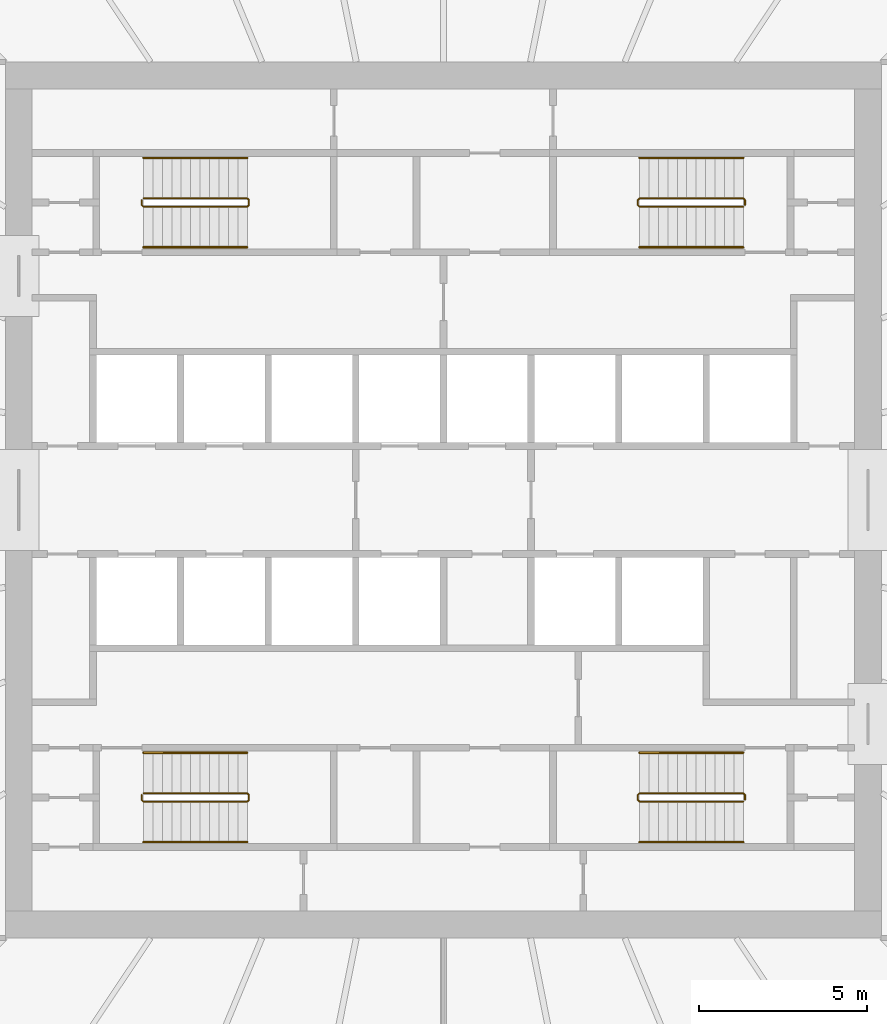
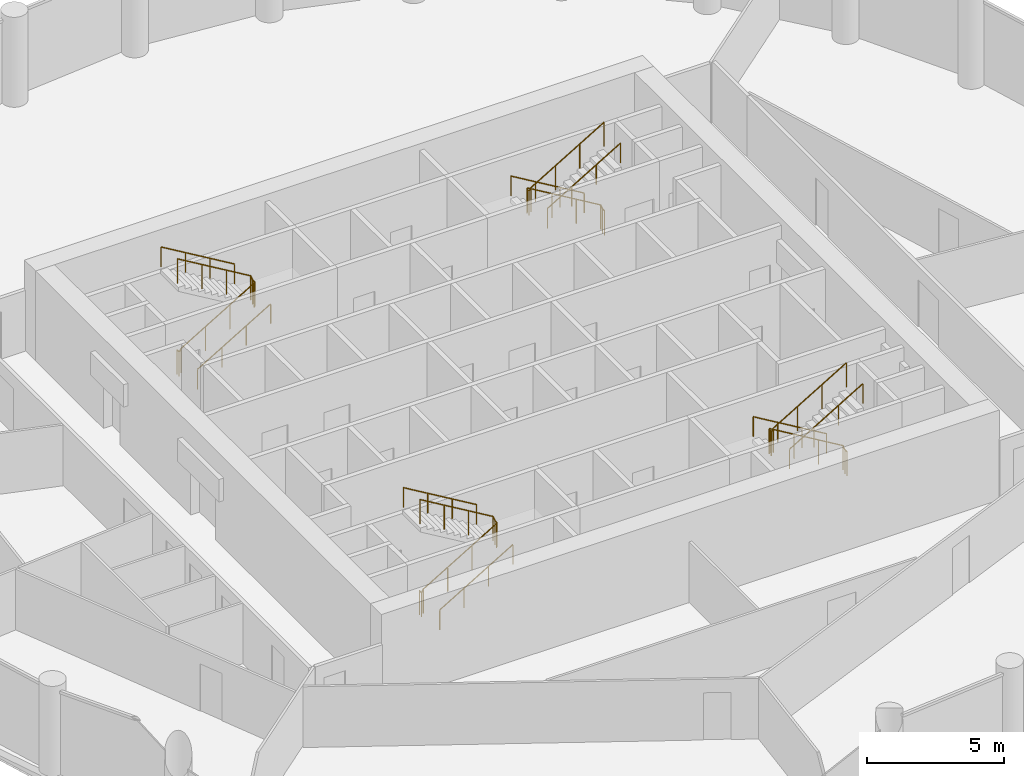
# One storey, part 9 of 9: 12 railings.
"""IFC4 building model written with IfcOpenShell, lengths in metres."""

from ifc_helpers import new_model, si_unit, direction, frame, origin, origin_2d, place, context, subcontext, project, spatial, circle, extrude, material, type_object, element, save


model = new_model("IFC4")

# Units and contexts
model_context = context("Model", 3, precision=1e-05, world=origin(), true_north=direction((0.0, 1.0)))
body_context = subcontext(model_context, "Body", "Model", "MODEL_VIEW")
ifc_project = project(units=[si_unit("LENGTHUNIT", "METRE"), si_unit("AREAUNIT", "SQUARE_METRE"), si_unit("VOLUMEUNIT", "CUBIC_METRE"), si_unit("PLANEANGLEUNIT", "RADIAN"), si_unit("MASSUNIT", "GRAM", prefix="KILO")], contexts=[model_context])

# Site, building, storey
site_placement = place(None, origin())
site = spatial("IfcSite", under=ifc_project, at=site_placement, CompositionType="ELEMENT")
building_placement = place(site_placement, origin())
building = spatial("IfcBuilding", under=site, at=building_placement, Name="Corvane Civic Tower", CompositionType="ELEMENT")
storey_placement = place(building_placement, frame((0.0, 0.0, 225.5)))
storey = spatial("IfcBuildingStorey", under=building, at=storey_placement, Name="L53", CompositionType="ELEMENT", Elevation=225.5)

# Railings
ifc_material_1 = material(Name="Steel ASTM A572 Gr 50", Category="steel")
railing_type_1 = type_object("IfcRailingType", Name="ST-GUARD-1100", PredefinedType="GUARDRAIL", material=ifc_material_1)
railing_1_placement = place(storey_placement, frame((8.949951171875, 8.75, 0.0)))
element("IfcRailing", 1, at=railing_1_placement, inside=storey, type_object=railing_type_1, Name="L53 ST1 stair guard 1", PredefinedType="GUARDRAIL", context=body_context, shape_type="SweptSolid", body=[
    extrude(circle(Radius=0.02392578125, at=origin_2d()), frame((0.0, 0.0, 1.076171875), z_axis=(0.0, 1.0, 0.0), x_axis=(-1.0, 0.0, 0.0)), (0.0, 0.0, 1.0), 0.14990234375),
    extrude(circle(Radius=0.02392578125, at=origin_2d()), frame((0.0, 0.14990234375, 1.076171875), z_axis=(-0.27628659633, 0.27628659633, 0.920506074601), x_axis=(-0.707106781187, -0.707106781187, 0.0)), (0.0, 0.0, 1.0), 0.18115234375),
    extrude(circle(Radius=0.02392578125, at=origin_2d()), frame((-0.050048828125, 0.199951171875, 1.24267578125), z_axis=(-0.859290745958, 0.0, 0.51148745235), x_axis=(0.0, -1.0, 0.0)), (0.0, 0.0, 1.0), 3.584228515625),
    extrude(circle(Radius=0.02392578125, at=origin_2d()), frame((-3.1298828125, 0.199951171875, 3.076171875), z_axis=(-0.707106781187, -0.707106781187, 0.0), x_axis=(0.707106781187, -0.707106781187, 0.0)), (0.0, 0.0, 1.0), 0.07080078125),
    extrude(circle(Radius=0.02392578125, at=origin_2d()), frame((-3.179931640625, 0.14990234375, 3.076171875), z_axis=(0.0, -1.0, 0.0), x_axis=(1.0, 0.0, 0.0)), (0.0, 0.0, 1.0), 0.14990234375),
    extrude(circle(Radius=0.02392578125, at=origin_2d()), frame((-3.179931640625, 0.0, 3.076171875), z_axis=(0.27628659633, -0.27628659633, 0.920506074601), x_axis=(0.707106781187, 0.707106781187, 0.0)), (0.0, 0.0, 1.0), 0.18115234375),
    extrude(circle(Radius=0.02392578125, at=origin_2d()), frame((-3.1298828125, -0.050048828125, 3.24267578125), z_axis=(0.859290745958, 0.0, 0.51148745235), x_axis=(0.0, 1.0, 0.0)), (0.0, 0.0, 1.0), 3.584228515625),
    extrude(circle(Radius=0.02099609375, at=origin_2d()), origin(), (0.0, 0.0, 1.0), 1.052001953125),
    extrude(circle(Radius=0.02099609375, at=origin_2d()), frame((0.0, 0.14990234375, 0.0)), (0.0, 0.0, 1.0), 1.052001953125),
    extrude(circle(Radius=0.02099609375, at=origin_2d()), frame((-0.050048828125, 0.199951171875, 0.166748046875)), (0.0, 0.0, 1.0), 1.052001953125),
    extrude(circle(Radius=0.02099609375, at=origin_2d()), frame((-1.07666015625, 0.199951171875, 0.77783203125)), (0.0, 0.0, 1.0), 1.052001953125),
    extrude(circle(Radius=0.02099609375, at=origin_2d()), frame((-2.103271484375, 0.199951171875, 1.388916015625)), (0.0, 0.0, 1.0), 1.052001953125),
    extrude(circle(Radius=0.02099609375, at=origin_2d()), frame((-3.1298828125, 0.199951171875, 2.0)), (0.0, 0.0, 1.0), 1.052001953125),
    extrude(circle(Radius=0.02099609375, at=origin_2d()), frame((-3.179931640625, 0.14990234375, 2.0)), (0.0, 0.0, 1.0), 1.052001953125),
    extrude(circle(Radius=0.02099609375, at=origin_2d()), frame((-3.179931640625, 0.0, 2.0)), (0.0, 0.0, 1.0), 1.052001953125),
    extrude(circle(Radius=0.02099609375, at=origin_2d()), frame((-3.1298828125, -0.050048828125, 2.166748046875)), (0.0, 0.0, 1.0), 1.052001953125),
    extrude(circle(Radius=0.02099609375, at=origin_2d()), frame((-2.103271484375, -0.050048828125, 2.77783203125)), (0.0, 0.0, 1.0), 1.052001953125),
    extrude(circle(Radius=0.02099609375, at=origin_2d()), frame((-1.07666015625, -0.050048828125, 3.388916015625)), (0.0, 0.0, 1.0), 1.052001953125),
    extrude(circle(Radius=0.02099609375, at=origin_2d()), frame((-0.050048828125, -0.050048828125, 4.0)), (0.0, 0.0, 1.0), 1.052001953125),
])
railing_2_placement = place(storey_placement, frame((8.949951171875, -8.89990234375, 0.0)))
element("IfcRailing", 2, at=railing_2_placement, inside=storey, type_object=railing_type_1, Name="L53 ST2 stair guard 1", PredefinedType="GUARDRAIL", context=body_context, shape_type="SweptSolid", body=[
    extrude(circle(Radius=0.02392578125, at=origin_2d()), frame((0.0, 0.0, 1.076171875), z_axis=(0.0, 1.0, 0.0), x_axis=(-1.0, 0.0, 0.0)), (0.0, 0.0, 1.0), 0.14990234375),
    extrude(circle(Radius=0.02392578125, at=origin_2d()), frame((0.0, 0.14990234375, 1.076171875), z_axis=(-0.27628659633, 0.27628659633, 0.920506074601), x_axis=(-0.707106781187, -0.707106781187, 0.0)), (0.0, 0.0, 1.0), 0.18115234375),
    extrude(circle(Radius=0.02392578125, at=origin_2d()), frame((-0.050048828125, 0.199951171875, 1.24267578125), z_axis=(-0.859290745958, 0.0, 0.51148745235), x_axis=(0.0, -1.0, 0.0)), (0.0, 0.0, 1.0), 3.584228515625),
    extrude(circle(Radius=0.02392578125, at=origin_2d()), frame((-3.1298828125, 0.199951171875, 3.076171875), z_axis=(-0.707106781187, -0.707106781187, 0.0), x_axis=(0.707106781187, -0.707106781187, 0.0)), (0.0, 0.0, 1.0), 0.07080078125),
    extrude(circle(Radius=0.02392578125, at=origin_2d()), frame((-3.179931640625, 0.14990234375, 3.076171875), z_axis=(0.0, -1.0, 0.0), x_axis=(1.0, 0.0, 0.0)), (0.0, 0.0, 1.0), 0.14990234375),
    extrude(circle(Radius=0.02392578125, at=origin_2d()), frame((-3.179931640625, 0.0, 3.076171875), z_axis=(0.27628659633, -0.27628659633, 0.920506074601), x_axis=(0.707106781187, 0.707106781187, 0.0)), (0.0, 0.0, 1.0), 0.18115234375),
    extrude(circle(Radius=0.02392578125, at=origin_2d()), frame((-3.1298828125, -0.050048828125, 3.24267578125), z_axis=(0.859290745958, 0.0, 0.51148745235), x_axis=(0.0, 1.0, 0.0)), (0.0, 0.0, 1.0), 3.584228515625),
    extrude(circle(Radius=0.02099609375, at=origin_2d()), origin(), (0.0, 0.0, 1.0), 1.052001953125),
    extrude(circle(Radius=0.02099609375, at=origin_2d()), frame((0.0, 0.14990234375, 0.0)), (0.0, 0.0, 1.0), 1.052001953125),
    extrude(circle(Radius=0.02099609375, at=origin_2d()), frame((-0.050048828125, 0.199951171875, 0.166748046875)), (0.0, 0.0, 1.0), 1.052001953125),
    extrude(circle(Radius=0.02099609375, at=origin_2d()), frame((-1.07666015625, 0.199951171875, 0.77783203125)), (0.0, 0.0, 1.0), 1.052001953125),
    extrude(circle(Radius=0.02099609375, at=origin_2d()), frame((-2.103271484375, 0.199951171875, 1.388916015625)), (0.0, 0.0, 1.0), 1.052001953125),
    extrude(circle(Radius=0.02099609375, at=origin_2d()), frame((-3.1298828125, 0.199951171875, 2.0)), (0.0, 0.0, 1.0), 1.052001953125),
    extrude(circle(Radius=0.02099609375, at=origin_2d()), frame((-3.179931640625, 0.14990234375, 2.0)), (0.0, 0.0, 1.0), 1.052001953125),
    extrude(circle(Radius=0.02099609375, at=origin_2d()), frame((-3.179931640625, 0.0, 2.0)), (0.0, 0.0, 1.0), 1.052001953125),
    extrude(circle(Radius=0.02099609375, at=origin_2d()), frame((-3.1298828125, -0.050048828125, 2.166748046875)), (0.0, 0.0, 1.0), 1.052001953125),
    extrude(circle(Radius=0.02099609375, at=origin_2d()), frame((-2.103271484375, -0.050048828125, 2.77783203125)), (0.0, 0.0, 1.0), 1.052001953125),
    extrude(circle(Radius=0.02099609375, at=origin_2d()), frame((-1.07666015625, -0.050048828125, 3.388916015625)), (0.0, 0.0, 1.0), 1.052001953125),
    extrude(circle(Radius=0.02099609375, at=origin_2d()), frame((-0.050048828125, -0.050048828125, 4.0)), (0.0, 0.0, 1.0), 1.052001953125),
])
railing_3_placement = place(storey_placement, frame((-8.949951171875, -8.75, 0.0)))
element("IfcRailing", 3, at=railing_3_placement, inside=storey, type_object=railing_type_1, Name="L53 ST3 stair guard 1", PredefinedType="GUARDRAIL", context=body_context, shape_type="SweptSolid", body=[
    extrude(circle(Radius=0.02392578125, at=origin_2d()), frame((0.0, 0.0, 1.076171875), z_axis=(0.0, -1.0, 0.0), x_axis=(1.0, 0.0, 0.0)), (0.0, 0.0, 1.0), 0.14990234375),
    extrude(circle(Radius=0.02392578125, at=origin_2d()), frame((0.0, -0.14990234375, 1.076171875), z_axis=(0.27628659633, -0.27628659633, 0.920506074601), x_axis=(0.707106781187, 0.707106781187, 0.0)), (0.0, 0.0, 1.0), 0.18115234375),
    extrude(circle(Radius=0.02392578125, at=origin_2d()), frame((0.050048828125, -0.199951171875, 1.24267578125), z_axis=(0.859290745958, 0.0, 0.51148745235), x_axis=(0.0, 1.0, 0.0)), (0.0, 0.0, 1.0), 3.584228515625),
    extrude(circle(Radius=0.02392578125, at=origin_2d()), frame((3.1298828125, -0.199951171875, 3.076171875), z_axis=(0.707106781187, 0.707106781187, 0.0), x_axis=(-0.707106781187, 0.707106781187, 0.0)), (0.0, 0.0, 1.0), 0.07080078125),
    extrude(circle(Radius=0.02392578125, at=origin_2d()), frame((3.179931640625, -0.14990234375, 3.076171875), z_axis=(0.0, 1.0, 0.0), x_axis=(-1.0, 0.0, 0.0)), (0.0, 0.0, 1.0), 0.14990234375),
    extrude(circle(Radius=0.02392578125, at=origin_2d()), frame((3.179931640625, 0.0, 3.076171875), z_axis=(-0.27628659633, 0.27628659633, 0.920506074601), x_axis=(-0.707106781187, -0.707106781187, 0.0)), (0.0, 0.0, 1.0), 0.18115234375),
    extrude(circle(Radius=0.02392578125, at=origin_2d()), frame((3.1298828125, 0.050048828125, 3.24267578125), z_axis=(-0.859290745958, 0.0, 0.51148745235), x_axis=(0.0, -1.0, 0.0)), (0.0, 0.0, 1.0), 3.584228515625),
    extrude(circle(Radius=0.02099609375, at=origin_2d()), origin(), (0.0, 0.0, 1.0), 1.052001953125),
    extrude(circle(Radius=0.02099609375, at=origin_2d()), frame((0.0, -0.14990234375, 0.0)), (0.0, 0.0, 1.0), 1.052001953125),
    extrude(circle(Radius=0.02099609375, at=origin_2d()), frame((0.050048828125, -0.199951171875, 0.166748046875)), (0.0, 0.0, 1.0), 1.052001953125),
    extrude(circle(Radius=0.02099609375, at=origin_2d()), frame((1.07666015625, -0.199951171875, 0.77783203125)), (0.0, 0.0, 1.0), 1.052001953125),
    extrude(circle(Radius=0.02099609375, at=origin_2d()), frame((2.103271484375, -0.199951171875, 1.388916015625)), (0.0, 0.0, 1.0), 1.052001953125),
    extrude(circle(Radius=0.02099609375, at=origin_2d()), frame((3.1298828125, -0.199951171875, 2.0)), (0.0, 0.0, 1.0), 1.052001953125),
    extrude(circle(Radius=0.02099609375, at=origin_2d()), frame((3.179931640625, -0.14990234375, 2.0)), (0.0, 0.0, 1.0), 1.052001953125),
    extrude(circle(Radius=0.02099609375, at=origin_2d()), frame((3.179931640625, 0.0, 2.0)), (0.0, 0.0, 1.0), 1.052001953125),
    extrude(circle(Radius=0.02099609375, at=origin_2d()), frame((3.1298828125, 0.050048828125, 2.166748046875)), (0.0, 0.0, 1.0), 1.052001953125),
    extrude(circle(Radius=0.02099609375, at=origin_2d()), frame((2.103271484375, 0.050048828125, 2.77783203125)), (0.0, 0.0, 1.0), 1.052001953125),
    extrude(circle(Radius=0.02099609375, at=origin_2d()), frame((1.07666015625, 0.050048828125, 3.388916015625)), (0.0, 0.0, 1.0), 1.052001953125),
    extrude(circle(Radius=0.02099609375, at=origin_2d()), frame((0.050048828125, 0.050048828125, 4.0)), (0.0, 0.0, 1.0), 1.052001953125),
])
railing_4_placement = place(storey_placement, frame((-8.949951171875, 8.89990234375, 0.0)))
element("IfcRailing", 4, at=railing_4_placement, inside=storey, type_object=railing_type_1, Name="L53 ST4 stair guard 1", PredefinedType="GUARDRAIL", context=body_context, shape_type="SweptSolid", body=[
    extrude(circle(Radius=0.02392578125, at=origin_2d()), frame((0.0, 0.0, 1.076171875), z_axis=(0.0, -1.0, 0.0), x_axis=(1.0, 0.0, 0.0)), (0.0, 0.0, 1.0), 0.14990234375),
    extrude(circle(Radius=0.02392578125, at=origin_2d()), frame((0.0, -0.14990234375, 1.076171875), z_axis=(0.27628659633, -0.27628659633, 0.920506074601), x_axis=(0.707106781187, 0.707106781187, 0.0)), (0.0, 0.0, 1.0), 0.18115234375),
    extrude(circle(Radius=0.02392578125, at=origin_2d()), frame((0.050048828125, -0.199951171875, 1.24267578125), z_axis=(0.859290745958, 0.0, 0.51148745235), x_axis=(0.0, 1.0, 0.0)), (0.0, 0.0, 1.0), 3.584228515625),
    extrude(circle(Radius=0.02392578125, at=origin_2d()), frame((3.1298828125, -0.199951171875, 3.076171875), z_axis=(0.707106781187, 0.707106781187, 0.0), x_axis=(-0.707106781187, 0.707106781187, 0.0)), (0.0, 0.0, 1.0), 0.07080078125),
    extrude(circle(Radius=0.02392578125, at=origin_2d()), frame((3.179931640625, -0.14990234375, 3.076171875), z_axis=(0.0, 1.0, 0.0), x_axis=(-1.0, 0.0, 0.0)), (0.0, 0.0, 1.0), 0.14990234375),
    extrude(circle(Radius=0.02392578125, at=origin_2d()), frame((3.179931640625, 0.0, 3.076171875), z_axis=(-0.27628659633, 0.27628659633, 0.920506074601), x_axis=(-0.707106781187, -0.707106781187, 0.0)), (0.0, 0.0, 1.0), 0.18115234375),
    extrude(circle(Radius=0.02392578125, at=origin_2d()), frame((3.1298828125, 0.050048828125, 3.24267578125), z_axis=(-0.859290745958, 0.0, 0.51148745235), x_axis=(0.0, -1.0, 0.0)), (0.0, 0.0, 1.0), 3.584228515625),
    extrude(circle(Radius=0.02099609375, at=origin_2d()), origin(), (0.0, 0.0, 1.0), 1.052001953125),
    extrude(circle(Radius=0.02099609375, at=origin_2d()), frame((0.0, -0.14990234375, 0.0)), (0.0, 0.0, 1.0), 1.052001953125),
    extrude(circle(Radius=0.02099609375, at=origin_2d()), frame((0.050048828125, -0.199951171875, 0.166748046875)), (0.0, 0.0, 1.0), 1.052001953125),
    extrude(circle(Radius=0.02099609375, at=origin_2d()), frame((1.07666015625, -0.199951171875, 0.77783203125)), (0.0, 0.0, 1.0), 1.052001953125),
    extrude(circle(Radius=0.02099609375, at=origin_2d()), frame((2.103271484375, -0.199951171875, 1.388916015625)), (0.0, 0.0, 1.0), 1.052001953125),
    extrude(circle(Radius=0.02099609375, at=origin_2d()), frame((3.1298828125, -0.199951171875, 2.0)), (0.0, 0.0, 1.0), 1.052001953125),
    extrude(circle(Radius=0.02099609375, at=origin_2d()), frame((3.179931640625, -0.14990234375, 2.0)), (0.0, 0.0, 1.0), 1.052001953125),
    extrude(circle(Radius=0.02099609375, at=origin_2d()), frame((3.179931640625, 0.0, 2.0)), (0.0, 0.0, 1.0), 1.052001953125),
    extrude(circle(Radius=0.02099609375, at=origin_2d()), frame((3.1298828125, 0.050048828125, 2.166748046875)), (0.0, 0.0, 1.0), 1.052001953125),
    extrude(circle(Radius=0.02099609375, at=origin_2d()), frame((2.103271484375, 0.050048828125, 2.77783203125)), (0.0, 0.0, 1.0), 1.052001953125),
    extrude(circle(Radius=0.02099609375, at=origin_2d()), frame((1.07666015625, 0.050048828125, 3.388916015625)), (0.0, 0.0, 1.0), 1.052001953125),
    extrude(circle(Radius=0.02099609375, at=origin_2d()), frame((0.050048828125, 0.050048828125, 4.0)), (0.0, 0.0, 1.0), 1.052001953125),
])
ifc_material_2 = material(Name="Steel ASTM A572 Gr 50", Category="steel")
railing_type_2 = type_object("IfcRailingType", Name="ST-HANDRAIL-900", PredefinedType="HANDRAIL", material=ifc_material_2)
railing_5_placement = place(storey_placement, frame((8.89990234375, 10.14990234375, 0.166748046875)))
element("IfcRailing", 5, at=railing_5_placement, inside=storey, type_object=railing_type_2, Name="L53 ST1 stair handrail 1", PredefinedType="HANDRAIL", context=body_context, shape_type="SweptSolid", body=[
    extrude(circle(Radius=0.02392578125, at=origin_2d()), frame((0.0, 0.0, 0.8759765625), z_axis=(-0.859290745958, 0.0, 0.51148745235), x_axis=(0.0, -1.0, 0.0)), (0.0, 0.0, 1.0), 3.584228515625),
    extrude(circle(Radius=0.02099609375, at=origin_2d()), origin(), (0.0, 0.0, 1.0), 0.851806640625),
    extrude(circle(Radius=0.02099609375, at=origin_2d()), frame((-1.026611328125, 0.0, 0.611083984375)), (0.0, 0.0, 1.0), 0.851806640625),
    extrude(circle(Radius=0.02099609375, at=origin_2d()), frame((-2.05322265625, 0.0, 1.22216796875)), (0.0, 0.0, 1.0), 0.851806640625),
    extrude(circle(Radius=0.02099609375, at=origin_2d()), frame((-3.079833984375, 0.0, 1.833251953125)), (0.0, 0.0, 1.0), 0.851806640625),
])
railing_6_placement = place(storey_placement, frame((5.820068359375, 7.5, 2.166748046875)))
element("IfcRailing", 6, at=railing_6_placement, inside=storey, type_object=railing_type_2, Name="L53 ST1 stair handrail 2", PredefinedType="HANDRAIL", context=body_context, shape_type="SweptSolid", body=[
    extrude(circle(Radius=0.02392578125, at=origin_2d()), frame((0.0, 0.0, 0.8759765625), z_axis=(0.859290745958, 0.0, 0.51148745235), x_axis=(0.0, 1.0, 0.0)), (0.0, 0.0, 1.0), 3.584228515625),
    extrude(circle(Radius=0.02099609375, at=origin_2d()), origin(), (0.0, 0.0, 1.0), 0.851806640625),
    extrude(circle(Radius=0.02099609375, at=origin_2d()), frame((1.026611328125, 0.0, 0.611083984375)), (0.0, 0.0, 1.0), 0.851806640625),
    extrude(circle(Radius=0.02099609375, at=origin_2d()), frame((2.05322265625, 0.0, 1.22216796875)), (0.0, 0.0, 1.0), 0.851806640625),
    extrude(circle(Radius=0.02099609375, at=origin_2d()), frame((3.079833984375, 0.0, 1.833251953125)), (0.0, 0.0, 1.0), 0.851806640625),
])
railing_7_placement = place(storey_placement, frame((8.89990234375, -7.5, 0.166748046875)))
element("IfcRailing", 7, at=railing_7_placement, inside=storey, type_object=railing_type_2, Name="L53 ST2 stair handrail 1", PredefinedType="HANDRAIL", context=body_context, shape_type="SweptSolid", body=[
    extrude(circle(Radius=0.02392578125, at=origin_2d()), frame((0.0, 0.0, 0.8759765625), z_axis=(-0.859290745958, 0.0, 0.51148745235), x_axis=(0.0, -1.0, 0.0)), (0.0, 0.0, 1.0), 3.584228515625),
    extrude(circle(Radius=0.02099609375, at=origin_2d()), origin(), (0.0, 0.0, 1.0), 0.851806640625),
    extrude(circle(Radius=0.02099609375, at=origin_2d()), frame((-1.026611328125, 0.0, 0.611083984375)), (0.0, 0.0, 1.0), 0.851806640625),
    extrude(circle(Radius=0.02099609375, at=origin_2d()), frame((-2.05322265625, 0.0, 1.22216796875)), (0.0, 0.0, 1.0), 0.851806640625),
    extrude(circle(Radius=0.02099609375, at=origin_2d()), frame((-3.079833984375, 0.0, 1.833251953125)), (0.0, 0.0, 1.0), 0.851806640625),
])
for number, where, name in (
    (8, (5.820068359375, -10.14990234375, 2.166748046875), "L53 ST2 stair handrail 2"),
    (9, (-8.89990234375, -10.14990234375, 0.166748046875), "L53 ST3 stair handrail 1"),
):
    element("IfcRailing", number, at=place(storey_placement, frame(where)), inside=storey, type_object=railing_type_2, Name=name, PredefinedType="HANDRAIL", context=body_context, shape_type="SweptSolid", body=[
        extrude(circle(Radius=0.02392578125, at=origin_2d()), frame((0.0, 0.0, 0.8759765625), z_axis=(0.859290745958, 0.0, 0.51148745235), x_axis=(0.0, 1.0, 0.0)), (0.0, 0.0, 1.0), 3.584228515625),
        extrude(circle(Radius=0.02099609375, at=origin_2d()), origin(), (0.0, 0.0, 1.0), 0.851806640625),
        extrude(circle(Radius=0.02099609375, at=origin_2d()), frame((1.026611328125, 0.0, 0.611083984375)), (0.0, 0.0, 1.0), 0.851806640625),
        extrude(circle(Radius=0.02099609375, at=origin_2d()), frame((2.05322265625, 0.0, 1.22216796875)), (0.0, 0.0, 1.0), 0.851806640625),
        extrude(circle(Radius=0.02099609375, at=origin_2d()), frame((3.079833984375, 0.0, 1.833251953125)), (0.0, 0.0, 1.0), 0.851806640625),
    ])
railing_8_placement = place(storey_placement, frame((-5.820068359375, -7.5, 2.166748046875)))
element("IfcRailing", 10, at=railing_8_placement, inside=storey, type_object=railing_type_2, Name="L53 ST3 stair handrail 2", PredefinedType="HANDRAIL", context=body_context, shape_type="SweptSolid", body=[
    extrude(circle(Radius=0.02392578125, at=origin_2d()), frame((0.0, 0.0, 0.8759765625), z_axis=(-0.859290745958, 0.0, 0.51148745235), x_axis=(0.0, -1.0, 0.0)), (0.0, 0.0, 1.0), 3.584228515625),
    extrude(circle(Radius=0.02099609375, at=origin_2d()), origin(), (0.0, 0.0, 1.0), 0.851806640625),
    extrude(circle(Radius=0.02099609375, at=origin_2d()), frame((-1.026611328125, 0.0, 0.611083984375)), (0.0, 0.0, 1.0), 0.851806640625),
    extrude(circle(Radius=0.02099609375, at=origin_2d()), frame((-2.05322265625, 0.0, 1.22216796875)), (0.0, 0.0, 1.0), 0.851806640625),
    extrude(circle(Radius=0.02099609375, at=origin_2d()), frame((-3.079833984375, 0.0, 1.833251953125)), (0.0, 0.0, 1.0), 0.851806640625),
])
railing_9_placement = place(storey_placement, frame((-8.89990234375, 7.5, 0.166748046875)))
element("IfcRailing", 11, at=railing_9_placement, inside=storey, type_object=railing_type_2, Name="L53 ST4 stair handrail 1", PredefinedType="HANDRAIL", context=body_context, shape_type="SweptSolid", body=[
    extrude(circle(Radius=0.02392578125, at=origin_2d()), frame((0.0, 0.0, 0.8759765625), z_axis=(0.859290745958, 0.0, 0.51148745235), x_axis=(0.0, 1.0, 0.0)), (0.0, 0.0, 1.0), 3.584228515625),
    extrude(circle(Radius=0.02099609375, at=origin_2d()), origin(), (0.0, 0.0, 1.0), 0.851806640625),
    extrude(circle(Radius=0.02099609375, at=origin_2d()), frame((1.026611328125, 0.0, 0.611083984375)), (0.0, 0.0, 1.0), 0.851806640625),
    extrude(circle(Radius=0.02099609375, at=origin_2d()), frame((2.05322265625, 0.0, 1.22216796875)), (0.0, 0.0, 1.0), 0.851806640625),
    extrude(circle(Radius=0.02099609375, at=origin_2d()), frame((3.079833984375, 0.0, 1.833251953125)), (0.0, 0.0, 1.0), 0.851806640625),
])
railing_10_placement = place(storey_placement, frame((-5.820068359375, 10.14990234375, 2.166748046875)))
element("IfcRailing", 12, at=railing_10_placement, inside=storey, type_object=railing_type_2, Name="L53 ST4 stair handrail 2", PredefinedType="HANDRAIL", context=body_context, shape_type="SweptSolid", body=[
    extrude(circle(Radius=0.02392578125, at=origin_2d()), frame((0.0, 0.0, 0.8759765625), z_axis=(-0.859290745958, 0.0, 0.51148745235), x_axis=(0.0, -1.0, 0.0)), (0.0, 0.0, 1.0), 3.584228515625),
    extrude(circle(Radius=0.02099609375, at=origin_2d()), origin(), (0.0, 0.0, 1.0), 0.851806640625),
    extrude(circle(Radius=0.02099609375, at=origin_2d()), frame((-1.026611328125, 0.0, 0.611083984375)), (0.0, 0.0, 1.0), 0.851806640625),
    extrude(circle(Radius=0.02099609375, at=origin_2d()), frame((-2.05322265625, 0.0, 1.22216796875)), (0.0, 0.0, 1.0), 0.851806640625),
    extrude(circle(Radius=0.02099609375, at=origin_2d()), frame((-3.079833984375, 0.0, 1.833251953125)), (0.0, 0.0, 1.0), 0.851806640625),
])

save(model, "model.ifc")
